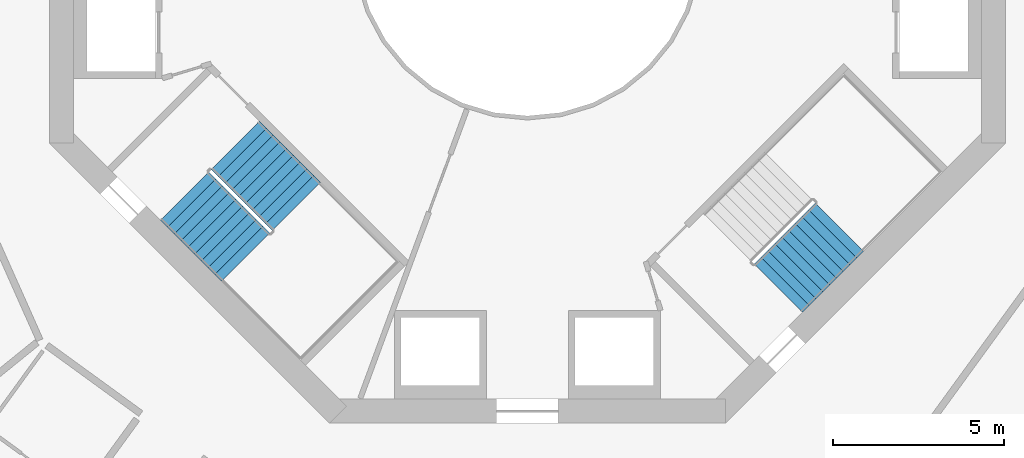
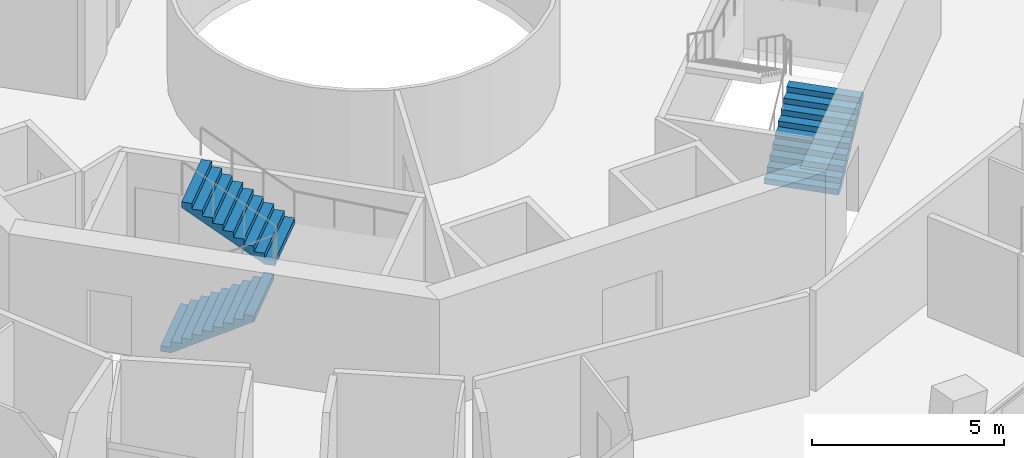
# One storey, part 21 of 23: 3 stair flights, 2 elements without a shape of their own.
"""IFC4 building model written with IfcOpenShell, lengths in metres."""

from ifc_helpers import new_model, si_unit, direction, frame, origin, place, context, subcontext, project, spatial, triangles, material, type_object, element, aggregate, save


model = new_model("IFC4")

# Units and contexts
model_context = context("Model", 3, precision=1e-05, world=origin(), true_north=direction((0.0, 1.0)))
body_context = subcontext(model_context, "Body", "Model", "MODEL_VIEW")
ifc_project = project(units=[si_unit("LENGTHUNIT", "METRE"), si_unit("AREAUNIT", "SQUARE_METRE"), si_unit("VOLUMEUNIT", "CUBIC_METRE"), si_unit("PLANEANGLEUNIT", "RADIAN"), si_unit("MASSUNIT", "GRAM", prefix="KILO")], contexts=[model_context])

# Site, building, storey
site_placement = place(None, origin())
site = spatial("IfcSite", under=ifc_project, at=site_placement, CompositionType="ELEMENT")
building_placement = place(site_placement, origin())
building = spatial("IfcBuilding", under=site, at=building_placement, Name="Verdalira Terraces Hotel", CompositionType="ELEMENT")
storey_placement = place(building_placement, frame((0.0, 0.0, 133.0)))
storey = spatial("IfcBuildingStorey", under=building, at=storey_placement, Name="L31", CompositionType="ELEMENT", Elevation=133.0)

# Stair, stair flights
ifc_material_1 = material(Name="Concrete C40", Category="concrete")
stair_type = type_object("IfcStairType", Name="Core stair 20 risers 2000 mm wide", PredefinedType="HALF_TURN_STAIR", material=ifc_material_1)
stair_1_placement = place(storey_placement, origin())
stair_1 = element("IfcStair", 1, at=stair_1_placement, inside=storey, type_object=stair_type, Name="L31 Exit stair ST2", PredefinedType="HALF_TURN_STAIR")
ifc_material_2 = material(Name="Concrete C40", Category="concrete")
stair_flight_type = type_object("IfcStairFlightType", Name="Core stair flight 20 risers 2000 mm wide", PredefinedType="STRAIGHT", material=ifc_material_2)
stair_flight_1_placement = place(storey_placement, frame((-10.041016, -7.354004, 0.0), z_axis=(0.0, 0.0, 1.0), x_axis=(0.707106781, -0.707106781, 0.0)))
stair_flight_1 = element("IfcStairFlight", 2, at=stair_flight_1_placement, type_object=stair_flight_type, Name="ST2 flight 1", NumberOfRisers=10, NumberOfTreads=9, PredefinedType="STRAIGHT", RiserHeight=0.175, TreadLength=0.28, context=body_context, shape_type="Tessellation", body=[
    triangles([(0.0, 1.0, 0.0), (0.282715, 1.0, 0.0), (2.52002, 1.0, 1.398193), (0.0, -1.0, 0.0), (0.282715, -1.0, 0.0), (2.52002, -1.0, 1.398193), (2.52002, 1.0, 1.574951), (2.23999, 1.0, 1.574951), (2.52002, -1.0, 1.574951), (2.23999, -1.0, 1.574951), (2.23999, 1.0, 1.399902), (2.23999, -1.0, 1.399902), (1.959961, 1.0, 1.399902), (1.959961, -1.0, 1.399902), (1.959961, 1.0, 1.225098), (1.959961, -1.0, 1.225098), (1.679932, 1.0, 1.225098), (1.679932, 1.0, 1.050049), (1.679932, -1.0, 1.225098), (1.679932, -1.0, 1.050049), (1.399902, 1.0, 1.050049), (1.399902, 1.0, 0.875), (1.399902, -1.0, 1.050049), (1.399902, -1.0, 0.875), (1.120117, 1.0, 0.875), (1.120117, 1.0, 0.699951), (1.120117, -1.0, 0.875), (1.120117, -1.0, 0.699951), (0.840088, 1.0, 0.699951), (0.840088, 1.0, 0.524902), (0.840088, -1.0, 0.699951), (0.840088, -1.0, 0.524902), (0.560059, 1.0, 0.524902), (0.560059, 1.0, 0.350098), (0.560059, -1.0, 0.524902), (0.560059, -1.0, 0.350098), (0.280029, 1.0, 0.350098), (0.280029, 1.0, 0.175049), (0.280029, -1.0, 0.350098), (0.280029, -1.0, 0.175049), (0.0, 1.0, 0.175049), (0.0, -1.0, 0.175049), (0.0, -0.9375, 0.0), (0.0, -0.9375, 0.175049), (0.0, -0.875, 0.0), (0.0, -0.875, 0.175049), (0.0, -0.8125, 0.0), (0.0, -0.8125, 0.175049), (0.0, -0.75, 0.0), (0.0, -0.75, 0.175049), (0.0, -0.6875, 0.0), (0.0, -0.6875, 0.175049), (0.0, -0.625, 0.0), (0.0, -0.625, 0.175049), (0.0, -0.5625, 0.0), (0.0, -0.5625, 0.175049), (0.0, -0.5, 0.0), (0.0, -0.5, 0.175049), (0.0, -0.4375, 0.0), (0.0, -0.4375, 0.175049), (0.0, -0.375, 0.0), (0.0, -0.375, 0.175049), (0.0, -0.3125, 0.0), (0.0, -0.3125, 0.175049), (0.0, -0.25, 0.0), (0.0, -0.25, 0.175049), (0.0, -0.1875, 0.0), (0.0, -0.1875, 0.175049), (0.0, -0.125, 0.0), (0.0, -0.125, 0.175049), (0.0, -0.0625, 0.0), (0.0, -0.0625, 0.175049), (0.0, 0.0, 0.0), (0.0, 0.0, 0.175049), (0.0, 0.0625, 0.0), (0.0, 0.0625, 0.175049), (0.0, 0.125, 0.0), (0.0, 0.125, 0.175049), (0.0, 0.1875, 0.0), (0.0, 0.1875, 0.175049), (0.0, 0.25, 0.0), (0.0, 0.25, 0.175049), (0.0, 0.3125, 0.0), (0.0, 0.3125, 0.175049), (0.0, 0.375, 0.0), (0.0, 0.375, 0.175049), (0.0, 0.4375, 0.0), (0.0, 0.4375, 0.175049), (0.0, 0.5, 0.0), (0.0, 0.5, 0.175049), (0.0, 0.5625, 0.0), (0.0, 0.5625, 0.175049), (0.0, 0.625, 0.0), (0.0, 0.625, 0.175049), (0.0, 0.6875, 0.0), (0.0, 0.6875, 0.175049), (0.0, 0.75, 0.0), (0.0, 0.75, 0.175049), (0.0, 0.8125, 0.0), (0.0, 0.8125, 0.175049), (0.0, 0.875, 0.0), (0.0, 0.875, 0.175049), (0.0, 0.9375, 0.0), (0.0, 0.9375, 0.175049), (2.52002, -0.9375, 1.574951), (2.52002, -0.875, 1.574951), (2.52002, -0.8125, 1.574951), (2.52002, -0.75, 1.574951), (2.52002, -0.6875, 1.574951), (2.52002, -0.625, 1.574951), (2.52002, -0.5625, 1.574951), (2.52002, -0.5, 1.574951), (2.52002, -0.4375, 1.574951), (2.52002, -0.375, 1.574951), (2.52002, -0.3125, 1.574951), (2.52002, -0.25, 1.574951), (2.52002, -0.1875, 1.574951), (2.52002, -0.125, 1.574951), (2.52002, -0.0625, 1.574951), (2.52002, 0.0, 1.574951), (2.52002, 0.0625, 1.574951), (2.52002, 0.125, 1.574951), (2.52002, 0.1875, 1.574951), (2.52002, 0.25, 1.574951), (2.52002, 0.3125, 1.574951), (2.52002, 0.375, 1.574951), (2.52002, 0.4375, 1.574951), (2.52002, 0.5, 1.574951), (2.52002, 0.5625, 1.574951), (2.52002, 0.625, 1.574951), (2.52002, 0.6875, 1.574951), (2.52002, 0.75, 1.574951), (2.52002, 0.8125, 1.574951), (2.52002, 0.875, 1.574951), (2.52002, 0.9375, 1.574951), (2.52002, -0.9375, 1.398193), (2.52002, -0.875, 1.398193), (2.52002, -0.8125, 1.398193), (2.52002, -0.75, 1.398193), (2.52002, -0.6875, 1.398193), (2.52002, -0.625, 1.398193), (2.52002, -0.5625, 1.398193), (2.52002, -0.5, 1.398193), (2.52002, -0.4375, 1.398193), (2.52002, -0.375, 1.398193), (2.52002, -0.3125, 1.398193), (2.52002, -0.25, 1.398193), (2.52002, -0.1875, 1.398193), (2.52002, -0.125, 1.398193), (2.52002, -0.0625, 1.398193), (2.52002, 0.0, 1.398193), (2.52002, 0.0625, 1.398193), (2.52002, 0.125, 1.398193), (2.52002, 0.1875, 1.398193), (2.52002, 0.25, 1.398193), (2.52002, 0.3125, 1.398193), (2.52002, 0.375, 1.398193), (2.52002, 0.4375, 1.398193), (2.52002, 0.5, 1.398193), (2.52002, 0.5625, 1.398193), (2.52002, 0.625, 1.398193), (2.52002, 0.6875, 1.398193), (2.52002, 0.75, 1.398193), (2.52002, 0.8125, 1.398193), (2.52002, 0.875, 1.398193), (2.52002, 0.9375, 1.398193)], [[1, 3, 2], [4, 5, 6], [3, 8, 7], [6, 9, 10], [3, 11, 8], [6, 10, 12], [3, 13, 11], [6, 12, 14], [3, 15, 13], [6, 14, 16], [15, 18, 17], [16, 19, 20], [3, 18, 15], [6, 16, 20], [18, 22, 21], [20, 23, 24], [3, 22, 18], [6, 20, 24], [22, 26, 25], [24, 27, 28], [3, 26, 22], [6, 24, 28], [26, 30, 29], [28, 31, 32], [3, 30, 26], [6, 28, 32], [1, 30, 3], [4, 6, 32], [30, 34, 33], [32, 35, 36], [34, 38, 37], [36, 39, 40], [30, 38, 34], [32, 36, 40], [1, 38, 30], [4, 32, 40], [38, 1, 41], [40, 42, 4], [4, 44, 43], [4, 42, 44], [43, 46, 45], [43, 44, 46], [45, 48, 47], [45, 46, 48], [47, 50, 49], [47, 48, 50], [49, 52, 51], [49, 50, 52], [51, 54, 53], [51, 52, 54], [53, 56, 55], [53, 54, 56], [55, 58, 57], [55, 56, 58], [57, 60, 59], [57, 58, 60], [59, 62, 61], [59, 60, 62], [61, 64, 63], [61, 62, 64], [63, 66, 65], [63, 64, 66], [65, 68, 67], [65, 66, 68], [67, 70, 69], [67, 68, 70], [69, 72, 71], [69, 70, 72], [71, 74, 73], [71, 72, 74], [73, 76, 75], [73, 74, 76], [75, 78, 77], [75, 76, 78], [77, 80, 79], [77, 78, 80], [79, 82, 81], [79, 80, 82], [81, 84, 83], [81, 82, 84], [83, 86, 85], [83, 84, 86], [85, 88, 87], [85, 86, 88], [87, 90, 89], [87, 88, 90], [89, 92, 91], [89, 90, 92], [91, 94, 93], [91, 92, 94], [93, 96, 95], [93, 94, 96], [95, 98, 97], [95, 96, 98], [97, 100, 99], [97, 98, 100], [99, 102, 101], [99, 100, 102], [101, 104, 103], [101, 102, 104], [103, 41, 1], [103, 104, 41], [42, 40, 44], [44, 40, 46], [46, 40, 48], [48, 40, 50], [50, 40, 52], [52, 40, 54], [54, 40, 56], [56, 40, 58], [58, 40, 60], [60, 40, 62], [62, 40, 64], [64, 40, 66], [66, 40, 68], [68, 40, 70], [70, 40, 72], [72, 40, 74], [74, 40, 76], [76, 40, 78], [78, 40, 80], [80, 40, 82], [82, 40, 84], [84, 40, 86], [86, 40, 88], [88, 40, 90], [90, 40, 92], [92, 40, 94], [94, 40, 96], [96, 40, 98], [98, 40, 100], [100, 40, 102], [102, 40, 104], [104, 40, 41], [41, 40, 38], [40, 37, 38], [40, 39, 37], [39, 34, 37], [39, 36, 34], [36, 33, 34], [36, 35, 33], [35, 30, 33], [35, 32, 30], [32, 29, 30], [32, 31, 29], [31, 26, 29], [31, 28, 26], [28, 25, 26], [28, 27, 25], [27, 22, 25], [27, 24, 22], [24, 21, 22], [24, 23, 21], [23, 18, 21], [23, 20, 18], [20, 17, 18], [20, 19, 17], [19, 15, 17], [19, 16, 15], [16, 13, 15], [16, 14, 13], [14, 11, 13], [14, 12, 11], [12, 8, 11], [12, 10, 8], [9, 105, 10], [105, 106, 10], [106, 107, 10], [107, 108, 10], [108, 109, 10], [109, 110, 10], [110, 111, 10], [111, 112, 10], [112, 113, 10], [113, 114, 10], [114, 115, 10], [115, 116, 10], [116, 117, 10], [117, 118, 10], [118, 119, 10], [119, 120, 10], [120, 121, 10], [121, 122, 10], [122, 123, 10], [123, 124, 10], [124, 125, 10], [125, 126, 10], [126, 127, 10], [127, 128, 10], [128, 129, 10], [129, 130, 10], [130, 131, 10], [131, 132, 10], [132, 133, 10], [133, 134, 10], [134, 135, 10], [135, 7, 10], [7, 8, 10], [9, 136, 105], [9, 6, 136], [105, 137, 106], [105, 136, 137], [106, 138, 107], [106, 137, 138], [107, 139, 108], [107, 138, 139], [108, 140, 109], [108, 139, 140], [109, 141, 110], [109, 140, 141], [110, 142, 111], [110, 141, 142], [111, 143, 112], [111, 142, 143], [112, 144, 113], [112, 143, 144], [113, 145, 114], [113, 144, 145], [114, 146, 115], [114, 145, 146], [115, 147, 116], [115, 146, 147], [116, 148, 117], [116, 147, 148], [117, 149, 118], [117, 148, 149], [118, 150, 119], [118, 149, 150], [119, 151, 120], [119, 150, 151], [120, 152, 121], [120, 151, 152], [121, 153, 122], [121, 152, 153], [122, 154, 123], [122, 153, 154], [123, 155, 124], [123, 154, 155], [124, 156, 125], [124, 155, 156], [125, 157, 126], [125, 156, 157], [126, 158, 127], [126, 157, 158], [127, 159, 128], [127, 158, 159], [128, 160, 129], [128, 159, 160], [129, 161, 130], [129, 160, 161], [130, 162, 131], [130, 161, 162], [131, 163, 132], [131, 162, 163], [132, 164, 133], [132, 163, 164], [133, 165, 134], [133, 164, 165], [134, 166, 135], [134, 165, 166], [135, 3, 7], [135, 166, 3], [6, 5, 136], [136, 5, 137], [137, 5, 138], [138, 5, 139], [139, 5, 140], [140, 5, 141], [141, 5, 142], [142, 5, 143], [143, 5, 144], [144, 5, 145], [145, 5, 146], [146, 5, 147], [147, 5, 148], [148, 5, 149], [149, 5, 150], [150, 5, 151], [151, 5, 152], [152, 5, 153], [153, 5, 154], [154, 5, 155], [155, 5, 156], [156, 5, 157], [157, 5, 158], [158, 5, 159], [159, 5, 160], [160, 5, 161], [161, 5, 162], [162, 5, 163], [163, 5, 164], [164, 5, 165], [165, 5, 166], [166, 5, 3], [3, 5, 2], [4, 43, 5], [43, 45, 5], [45, 47, 5], [47, 49, 5], [49, 51, 5], [51, 53, 5], [53, 55, 5], [55, 57, 5], [57, 59, 5], [59, 61, 5], [61, 63, 5], [63, 65, 5], [65, 67, 5], [67, 69, 5], [69, 71, 5], [71, 73, 5], [73, 75, 5], [75, 77, 5], [77, 79, 5], [79, 81, 5], [81, 83, 5], [83, 85, 5], [85, 87, 5], [87, 89, 5], [89, 91, 5], [91, 93, 5], [93, 95, 5], [95, 97, 5], [97, 99, 5], [99, 101, 5], [101, 103, 5], [103, 1, 5], [1, 2, 5]], closed=True),
])
stair_flight_2_placement = place(storey_placement, frame((-6.77417, -7.650879, 1.75), z_axis=(0.0, 0.0, 1.0), x_axis=(-0.707106781, 0.707106781, 0.0)))
stair_flight_2 = element("IfcStairFlight", 3, at=stair_flight_2_placement, type_object=stair_flight_type, Name="ST2 flight 2", NumberOfRisers=10, NumberOfTreads=9, PredefinedType="STRAIGHT", RiserHeight=0.175, TreadLength=0.28, context=body_context, shape_type="Tessellation", body=[
    triangles([(0.0, 1.0, 0.0), (0.282715, 1.0, 0.0), (2.52002, 1.0, 1.398193), (0.0, -1.0, 0.0), (0.282715, -1.0, 0.0), (2.52002, -1.0, 1.398193), (2.52002, 1.0, 1.574951), (2.23999, 1.0, 1.574951), (2.52002, -1.0, 1.574951), (2.23999, -1.0, 1.574951), (2.23999, 1.0, 1.399902), (2.23999, -1.0, 1.399902), (1.959961, 1.0, 1.399902), (1.959961, -1.0, 1.399902), (1.959961, 1.0, 1.225098), (1.959961, -1.0, 1.225098), (1.679932, 1.0, 1.225098), (1.679932, 1.0, 1.050049), (1.679932, -1.0, 1.225098), (1.679932, -1.0, 1.050049), (1.399902, 1.0, 1.050049), (1.399902, 1.0, 0.875), (1.399902, -1.0, 1.050049), (1.399902, -1.0, 0.875), (1.120117, 1.0, 0.875), (1.120117, 1.0, 0.699951), (1.120117, -1.0, 0.875), (1.120117, -1.0, 0.699951), (0.840088, 1.0, 0.699951), (0.840088, 1.0, 0.524902), (0.840088, -1.0, 0.699951), (0.840088, -1.0, 0.524902), (0.560059, 1.0, 0.524902), (0.560059, 1.0, 0.350098), (0.560059, -1.0, 0.524902), (0.560059, -1.0, 0.350098), (0.280029, 1.0, 0.350098), (0.280029, 1.0, 0.175049), (0.280029, -1.0, 0.350098), (0.280029, -1.0, 0.175049), (0.0, 1.0, 0.175049), (0.0, -1.0, 0.175049), (0.0, -0.9375, 0.0), (0.0, -0.9375, 0.175049), (0.0, -0.875, 0.0), (0.0, -0.875, 0.175049), (0.0, -0.8125, 0.0), (0.0, -0.8125, 0.175049), (0.0, -0.75, 0.0), (0.0, -0.75, 0.175049), (0.0, -0.6875, 0.0), (0.0, -0.6875, 0.175049), (0.0, -0.625, 0.0), (0.0, -0.625, 0.175049), (0.0, -0.5625, 0.0), (0.0, -0.5625, 0.175049), (0.0, -0.5, 0.0), (0.0, -0.5, 0.175049), (0.0, -0.4375, 0.0), (0.0, -0.4375, 0.175049), (0.0, -0.375, 0.0), (0.0, -0.375, 0.175049), (0.0, -0.3125, 0.0), (0.0, -0.3125, 0.175049), (0.0, -0.25, 0.0), (0.0, -0.25, 0.175049), (0.0, -0.1875, 0.0), (0.0, -0.1875, 0.175049), (0.0, -0.125, 0.0), (0.0, -0.125, 0.175049), (0.0, -0.0625, 0.0), (0.0, -0.0625, 0.175049), (0.0, 0.0, 0.0), (0.0, 0.0, 0.175049), (0.0, 0.0625, 0.0), (0.0, 0.0625, 0.175049), (0.0, 0.125, 0.0), (0.0, 0.125, 0.175049), (0.0, 0.1875, 0.0), (0.0, 0.1875, 0.175049), (0.0, 0.25, 0.0), (0.0, 0.25, 0.175049), (0.0, 0.3125, 0.0), (0.0, 0.3125, 0.175049), (0.0, 0.375, 0.0), (0.0, 0.375, 0.175049), (0.0, 0.4375, 0.0), (0.0, 0.4375, 0.175049), (0.0, 0.5, 0.0), (0.0, 0.5, 0.175049), (0.0, 0.5625, 0.0), (0.0, 0.5625, 0.175049), (0.0, 0.625, 0.0), (0.0, 0.625, 0.175049), (0.0, 0.6875, 0.0), (0.0, 0.6875, 0.175049), (0.0, 0.75, 0.0), (0.0, 0.75, 0.175049), (0.0, 0.8125, 0.0), (0.0, 0.8125, 0.175049), (0.0, 0.875, 0.0), (0.0, 0.875, 0.175049), (0.0, 0.9375, 0.0), (0.0, 0.9375, 0.175049), (2.52002, -0.9375, 1.574951), (2.52002, -0.875, 1.574951), (2.52002, -0.8125, 1.574951), (2.52002, -0.75, 1.574951), (2.52002, -0.6875, 1.574951), (2.52002, -0.625, 1.574951), (2.52002, -0.5625, 1.574951), (2.52002, -0.5, 1.574951), (2.52002, -0.4375, 1.574951), (2.52002, -0.375, 1.574951), (2.52002, -0.3125, 1.574951), (2.52002, -0.25, 1.574951), (2.52002, -0.1875, 1.574951), (2.52002, -0.125, 1.574951), (2.52002, -0.0625, 1.574951), (2.52002, 0.0, 1.574951), (2.52002, 0.0625, 1.574951), (2.52002, 0.125, 1.574951), (2.52002, 0.1875, 1.574951), (2.52002, 0.25, 1.574951), (2.52002, 0.3125, 1.574951), (2.52002, 0.375, 1.574951), (2.52002, 0.4375, 1.574951), (2.52002, 0.5, 1.574951), (2.52002, 0.5625, 1.574951), (2.52002, 0.625, 1.574951), (2.52002, 0.6875, 1.574951), (2.52002, 0.75, 1.574951), (2.52002, 0.8125, 1.574951), (2.52002, 0.875, 1.574951), (2.52002, 0.9375, 1.574951), (2.52002, -0.9375, 1.398193), (2.52002, -0.875, 1.398193), (2.52002, -0.8125, 1.398193), (2.52002, -0.75, 1.398193), (2.52002, -0.6875, 1.398193), (2.52002, -0.625, 1.398193), (2.52002, -0.5625, 1.398193), (2.52002, -0.5, 1.398193), (2.52002, -0.4375, 1.398193), (2.52002, -0.375, 1.398193), (2.52002, -0.3125, 1.398193), (2.52002, -0.25, 1.398193), (2.52002, -0.1875, 1.398193), (2.52002, -0.125, 1.398193), (2.52002, -0.0625, 1.398193), (2.52002, 0.0, 1.398193), (2.52002, 0.0625, 1.398193), (2.52002, 0.125, 1.398193), (2.52002, 0.1875, 1.398193), (2.52002, 0.25, 1.398193), (2.52002, 0.3125, 1.398193), (2.52002, 0.375, 1.398193), (2.52002, 0.4375, 1.398193), (2.52002, 0.5, 1.398193), (2.52002, 0.5625, 1.398193), (2.52002, 0.625, 1.398193), (2.52002, 0.6875, 1.398193), (2.52002, 0.75, 1.398193), (2.52002, 0.8125, 1.398193), (2.52002, 0.875, 1.398193), (2.52002, 0.9375, 1.398193)], [[1, 3, 2], [4, 5, 6], [3, 8, 7], [6, 9, 10], [3, 11, 8], [6, 10, 12], [3, 13, 11], [6, 12, 14], [3, 15, 13], [6, 14, 16], [15, 18, 17], [16, 19, 20], [3, 18, 15], [6, 16, 20], [18, 22, 21], [20, 23, 24], [3, 22, 18], [6, 20, 24], [22, 26, 25], [24, 27, 28], [3, 26, 22], [6, 24, 28], [26, 30, 29], [28, 31, 32], [3, 30, 26], [6, 28, 32], [1, 30, 3], [4, 6, 32], [30, 34, 33], [32, 35, 36], [34, 38, 37], [36, 39, 40], [30, 38, 34], [32, 36, 40], [1, 38, 30], [4, 32, 40], [38, 1, 41], [40, 42, 4], [4, 44, 43], [4, 42, 44], [43, 46, 45], [43, 44, 46], [45, 48, 47], [45, 46, 48], [47, 50, 49], [47, 48, 50], [49, 52, 51], [49, 50, 52], [51, 54, 53], [51, 52, 54], [53, 56, 55], [53, 54, 56], [55, 58, 57], [55, 56, 58], [57, 60, 59], [57, 58, 60], [59, 62, 61], [59, 60, 62], [61, 64, 63], [61, 62, 64], [63, 66, 65], [63, 64, 66], [65, 68, 67], [65, 66, 68], [67, 70, 69], [67, 68, 70], [69, 72, 71], [69, 70, 72], [71, 74, 73], [71, 72, 74], [73, 76, 75], [73, 74, 76], [75, 78, 77], [75, 76, 78], [77, 80, 79], [77, 78, 80], [79, 82, 81], [79, 80, 82], [81, 84, 83], [81, 82, 84], [83, 86, 85], [83, 84, 86], [85, 88, 87], [85, 86, 88], [87, 90, 89], [87, 88, 90], [89, 92, 91], [89, 90, 92], [91, 94, 93], [91, 92, 94], [93, 96, 95], [93, 94, 96], [95, 98, 97], [95, 96, 98], [97, 100, 99], [97, 98, 100], [99, 102, 101], [99, 100, 102], [101, 104, 103], [101, 102, 104], [103, 41, 1], [103, 104, 41], [42, 40, 44], [44, 40, 46], [46, 40, 48], [48, 40, 50], [50, 40, 52], [52, 40, 54], [54, 40, 56], [56, 40, 58], [58, 40, 60], [60, 40, 62], [62, 40, 64], [64, 40, 66], [66, 40, 68], [68, 40, 70], [70, 40, 72], [72, 40, 74], [74, 40, 76], [76, 40, 78], [78, 40, 80], [80, 40, 82], [82, 40, 84], [84, 40, 86], [86, 40, 88], [88, 40, 90], [90, 40, 92], [92, 40, 94], [94, 40, 96], [96, 40, 98], [98, 40, 100], [100, 40, 102], [102, 40, 104], [104, 40, 41], [41, 40, 38], [40, 37, 38], [40, 39, 37], [39, 34, 37], [39, 36, 34], [36, 33, 34], [36, 35, 33], [35, 30, 33], [35, 32, 30], [32, 29, 30], [32, 31, 29], [31, 26, 29], [31, 28, 26], [28, 25, 26], [28, 27, 25], [27, 22, 25], [27, 24, 22], [24, 21, 22], [24, 23, 21], [23, 18, 21], [23, 20, 18], [20, 17, 18], [20, 19, 17], [19, 15, 17], [19, 16, 15], [16, 13, 15], [16, 14, 13], [14, 11, 13], [14, 12, 11], [12, 8, 11], [12, 10, 8], [9, 105, 10], [105, 106, 10], [106, 107, 10], [107, 108, 10], [108, 109, 10], [109, 110, 10], [110, 111, 10], [111, 112, 10], [112, 113, 10], [113, 114, 10], [114, 115, 10], [115, 116, 10], [116, 117, 10], [117, 118, 10], [118, 119, 10], [119, 120, 10], [120, 121, 10], [121, 122, 10], [122, 123, 10], [123, 124, 10], [124, 125, 10], [125, 126, 10], [126, 127, 10], [127, 128, 10], [128, 129, 10], [129, 130, 10], [130, 131, 10], [131, 132, 10], [132, 133, 10], [133, 134, 10], [134, 135, 10], [135, 7, 10], [7, 8, 10], [9, 136, 105], [9, 6, 136], [105, 137, 106], [105, 136, 137], [106, 138, 107], [106, 137, 138], [107, 139, 108], [107, 138, 139], [108, 140, 109], [108, 139, 140], [109, 141, 110], [109, 140, 141], [110, 142, 111], [110, 141, 142], [111, 143, 112], [111, 142, 143], [112, 144, 113], [112, 143, 144], [113, 145, 114], [113, 144, 145], [114, 146, 115], [114, 145, 146], [115, 147, 116], [115, 146, 147], [116, 148, 117], [116, 147, 148], [117, 149, 118], [117, 148, 149], [118, 150, 119], [118, 149, 150], [119, 151, 120], [119, 150, 151], [120, 152, 121], [120, 151, 152], [121, 153, 122], [121, 152, 153], [122, 154, 123], [122, 153, 154], [123, 155, 124], [123, 154, 155], [124, 156, 125], [124, 155, 156], [125, 157, 126], [125, 156, 157], [126, 158, 127], [126, 157, 158], [127, 159, 128], [127, 158, 159], [128, 160, 129], [128, 159, 160], [129, 161, 130], [129, 160, 161], [130, 162, 131], [130, 161, 162], [131, 163, 132], [131, 162, 163], [132, 164, 133], [132, 163, 164], [133, 165, 134], [133, 164, 165], [134, 166, 135], [134, 165, 166], [135, 3, 7], [135, 166, 3], [6, 5, 136], [136, 5, 137], [137, 5, 138], [138, 5, 139], [139, 5, 140], [140, 5, 141], [141, 5, 142], [142, 5, 143], [143, 5, 144], [144, 5, 145], [145, 5, 146], [146, 5, 147], [147, 5, 148], [148, 5, 149], [149, 5, 150], [150, 5, 151], [151, 5, 152], [152, 5, 153], [153, 5, 154], [154, 5, 155], [155, 5, 156], [156, 5, 157], [157, 5, 158], [158, 5, 159], [159, 5, 160], [160, 5, 161], [161, 5, 162], [162, 5, 163], [163, 5, 164], [164, 5, 165], [165, 5, 166], [166, 5, 3], [3, 5, 2], [4, 43, 5], [43, 45, 5], [45, 47, 5], [47, 49, 5], [49, 51, 5], [51, 53, 5], [53, 55, 5], [55, 57, 5], [57, 59, 5], [59, 61, 5], [61, 63, 5], [63, 65, 5], [65, 67, 5], [67, 69, 5], [69, 71, 5], [71, 73, 5], [73, 75, 5], [75, 77, 5], [77, 79, 5], [79, 81, 5], [81, 83, 5], [83, 85, 5], [85, 87, 5], [87, 89, 5], [89, 91, 5], [91, 93, 5], [93, 95, 5], [95, 97, 5], [97, 99, 5], [99, 101, 5], [101, 103, 5], [103, 1, 5], [1, 2, 5]], closed=True),
])
aggregate(stair_1, [stair_flight_1, stair_flight_2])

# Stair, stair flight
stair_2_placement = place(storey_placement, origin())
stair_2 = element("IfcStair", 4, at=stair_2_placement, inside=storey, type_object=stair_type, Name="L31 Exit stair ST3", PredefinedType="HALF_TURN_STAIR")
stair_flight_3_placement = place(storey_placement, frame((7.354004, -10.041016, 0.0), z_axis=(0.0, 0.0, 1.0), x_axis=(0.707106781, 0.707106781, 0.0)))
stair_flight_3 = element("IfcStairFlight", 5, at=stair_flight_3_placement, type_object=stair_flight_type, Name="ST3 flight 1", NumberOfRisers=10, NumberOfTreads=9, PredefinedType="STRAIGHT", RiserHeight=0.175, TreadLength=0.28, context=body_context, shape_type="Tessellation", body=[
    triangles([(0.0, 1.0, 0.0), (0.282715, 1.0, 0.0), (2.52002, 1.0, 1.398193), (0.0, -1.0, 0.0), (0.282715, -1.0, 0.0), (2.52002, -1.0, 1.398193), (2.52002, 1.0, 1.574951), (2.23999, 1.0, 1.574951), (2.52002, -1.0, 1.574951), (2.23999, -1.0, 1.574951), (2.23999, 1.0, 1.399902), (2.23999, -1.0, 1.399902), (1.959961, 1.0, 1.399902), (1.959961, -1.0, 1.399902), (1.959961, 1.0, 1.225098), (1.959961, -1.0, 1.225098), (1.679932, 1.0, 1.225098), (1.679932, 1.0, 1.050049), (1.679932, -1.0, 1.225098), (1.679932, -1.0, 1.050049), (1.399902, 1.0, 1.050049), (1.399902, 1.0, 0.875), (1.399902, -1.0, 1.050049), (1.399902, -1.0, 0.875), (1.120117, 1.0, 0.875), (1.120117, 1.0, 0.699951), (1.120117, -1.0, 0.875), (1.120117, -1.0, 0.699951), (0.840088, 1.0, 0.699951), (0.840088, 1.0, 0.524902), (0.840088, -1.0, 0.699951), (0.840088, -1.0, 0.524902), (0.560059, 1.0, 0.524902), (0.560059, 1.0, 0.350098), (0.560059, -1.0, 0.524902), (0.560059, -1.0, 0.350098), (0.280029, 1.0, 0.350098), (0.280029, 1.0, 0.175049), (0.280029, -1.0, 0.350098), (0.280029, -1.0, 0.175049), (0.0, 1.0, 0.175049), (0.0, -1.0, 0.175049), (0.0, -0.9375, 0.0), (0.0, -0.9375, 0.175049), (0.0, -0.875, 0.0), (0.0, -0.875, 0.175049), (0.0, -0.8125, 0.0), (0.0, -0.8125, 0.175049), (0.0, -0.75, 0.0), (0.0, -0.75, 0.175049), (0.0, -0.6875, 0.0), (0.0, -0.6875, 0.175049), (0.0, -0.625, 0.0), (0.0, -0.625, 0.175049), (0.0, -0.5625, 0.0), (0.0, -0.5625, 0.175049), (0.0, -0.5, 0.0), (0.0, -0.5, 0.175049), (0.0, -0.4375, 0.0), (0.0, -0.4375, 0.175049), (0.0, -0.375, 0.0), (0.0, -0.375, 0.175049), (0.0, -0.3125, 0.0), (0.0, -0.3125, 0.175049), (0.0, -0.25, 0.0), (0.0, -0.25, 0.175049), (0.0, -0.1875, 0.0), (0.0, -0.1875, 0.175049), (0.0, -0.125, 0.0), (0.0, -0.125, 0.175049), (0.0, -0.0625, 0.0), (0.0, -0.0625, 0.175049), (0.0, 0.0, 0.0), (0.0, 0.0, 0.175049), (0.0, 0.0625, 0.0), (0.0, 0.0625, 0.175049), (0.0, 0.125, 0.0), (0.0, 0.125, 0.175049), (0.0, 0.1875, 0.0), (0.0, 0.1875, 0.175049), (0.0, 0.25, 0.0), (0.0, 0.25, 0.175049), (0.0, 0.3125, 0.0), (0.0, 0.3125, 0.175049), (0.0, 0.375, 0.0), (0.0, 0.375, 0.175049), (0.0, 0.4375, 0.0), (0.0, 0.4375, 0.175049), (0.0, 0.5, 0.0), (0.0, 0.5, 0.175049), (0.0, 0.5625, 0.0), (0.0, 0.5625, 0.175049), (0.0, 0.625, 0.0), (0.0, 0.625, 0.175049), (0.0, 0.6875, 0.0), (0.0, 0.6875, 0.175049), (0.0, 0.75, 0.0), (0.0, 0.75, 0.175049), (0.0, 0.8125, 0.0), (0.0, 0.8125, 0.175049), (0.0, 0.875, 0.0), (0.0, 0.875, 0.175049), (0.0, 0.9375, 0.0), (0.0, 0.9375, 0.175049), (2.52002, -0.9375, 1.574951), (2.52002, -0.875, 1.574951), (2.52002, -0.8125, 1.574951), (2.52002, -0.75, 1.574951), (2.52002, -0.6875, 1.574951), (2.52002, -0.625, 1.574951), (2.52002, -0.5625, 1.574951), (2.52002, -0.5, 1.574951), (2.52002, -0.4375, 1.574951), (2.52002, -0.375, 1.574951), (2.52002, -0.3125, 1.574951), (2.52002, -0.25, 1.574951), (2.52002, -0.1875, 1.574951), (2.52002, -0.125, 1.574951), (2.52002, -0.0625, 1.574951), (2.52002, 0.0, 1.574951), (2.52002, 0.0625, 1.574951), (2.52002, 0.125, 1.574951), (2.52002, 0.1875, 1.574951), (2.52002, 0.25, 1.574951), (2.52002, 0.3125, 1.574951), (2.52002, 0.375, 1.574951), (2.52002, 0.4375, 1.574951), (2.52002, 0.5, 1.574951), (2.52002, 0.5625, 1.574951), (2.52002, 0.625, 1.574951), (2.52002, 0.6875, 1.574951), (2.52002, 0.75, 1.574951), (2.52002, 0.8125, 1.574951), (2.52002, 0.875, 1.574951), (2.52002, 0.9375, 1.574951), (2.52002, -0.9375, 1.398193), (2.52002, -0.875, 1.398193), (2.52002, -0.8125, 1.398193), (2.52002, -0.75, 1.398193), (2.52002, -0.6875, 1.398193), (2.52002, -0.625, 1.398193), (2.52002, -0.5625, 1.398193), (2.52002, -0.5, 1.398193), (2.52002, -0.4375, 1.398193), (2.52002, -0.375, 1.398193), (2.52002, -0.3125, 1.398193), (2.52002, -0.25, 1.398193), (2.52002, -0.1875, 1.398193), (2.52002, -0.125, 1.398193), (2.52002, -0.0625, 1.398193), (2.52002, 0.0, 1.398193), (2.52002, 0.0625, 1.398193), (2.52002, 0.125, 1.398193), (2.52002, 0.1875, 1.398193), (2.52002, 0.25, 1.398193), (2.52002, 0.3125, 1.398193), (2.52002, 0.375, 1.398193), (2.52002, 0.4375, 1.398193), (2.52002, 0.5, 1.398193), (2.52002, 0.5625, 1.398193), (2.52002, 0.625, 1.398193), (2.52002, 0.6875, 1.398193), (2.52002, 0.75, 1.398193), (2.52002, 0.8125, 1.398193), (2.52002, 0.875, 1.398193), (2.52002, 0.9375, 1.398193)], [[1, 3, 2], [4, 5, 6], [3, 8, 7], [6, 9, 10], [3, 11, 8], [6, 10, 12], [3, 13, 11], [6, 12, 14], [3, 15, 13], [6, 14, 16], [15, 18, 17], [16, 19, 20], [3, 18, 15], [6, 16, 20], [18, 22, 21], [20, 23, 24], [3, 22, 18], [6, 20, 24], [22, 26, 25], [24, 27, 28], [3, 26, 22], [6, 24, 28], [26, 30, 29], [28, 31, 32], [3, 30, 26], [6, 28, 32], [1, 30, 3], [4, 6, 32], [30, 34, 33], [32, 35, 36], [34, 38, 37], [36, 39, 40], [30, 38, 34], [32, 36, 40], [1, 38, 30], [4, 32, 40], [38, 1, 41], [40, 42, 4], [4, 44, 43], [4, 42, 44], [43, 46, 45], [43, 44, 46], [45, 48, 47], [45, 46, 48], [47, 50, 49], [47, 48, 50], [49, 52, 51], [49, 50, 52], [51, 54, 53], [51, 52, 54], [53, 56, 55], [53, 54, 56], [55, 58, 57], [55, 56, 58], [57, 60, 59], [57, 58, 60], [59, 62, 61], [59, 60, 62], [61, 64, 63], [61, 62, 64], [63, 66, 65], [63, 64, 66], [65, 68, 67], [65, 66, 68], [67, 70, 69], [67, 68, 70], [69, 72, 71], [69, 70, 72], [71, 74, 73], [71, 72, 74], [73, 76, 75], [73, 74, 76], [75, 78, 77], [75, 76, 78], [77, 80, 79], [77, 78, 80], [79, 82, 81], [79, 80, 82], [81, 84, 83], [81, 82, 84], [83, 86, 85], [83, 84, 86], [85, 88, 87], [85, 86, 88], [87, 90, 89], [87, 88, 90], [89, 92, 91], [89, 90, 92], [91, 94, 93], [91, 92, 94], [93, 96, 95], [93, 94, 96], [95, 98, 97], [95, 96, 98], [97, 100, 99], [97, 98, 100], [99, 102, 101], [99, 100, 102], [101, 104, 103], [101, 102, 104], [103, 41, 1], [103, 104, 41], [42, 40, 44], [44, 40, 46], [46, 40, 48], [48, 40, 50], [50, 40, 52], [52, 40, 54], [54, 40, 56], [56, 40, 58], [58, 40, 60], [60, 40, 62], [62, 40, 64], [64, 40, 66], [66, 40, 68], [68, 40, 70], [70, 40, 72], [72, 40, 74], [74, 40, 76], [76, 40, 78], [78, 40, 80], [80, 40, 82], [82, 40, 84], [84, 40, 86], [86, 40, 88], [88, 40, 90], [90, 40, 92], [92, 40, 94], [94, 40, 96], [96, 40, 98], [98, 40, 100], [100, 40, 102], [102, 40, 104], [104, 40, 41], [41, 40, 38], [40, 37, 38], [40, 39, 37], [39, 34, 37], [39, 36, 34], [36, 33, 34], [36, 35, 33], [35, 30, 33], [35, 32, 30], [32, 29, 30], [32, 31, 29], [31, 26, 29], [31, 28, 26], [28, 25, 26], [28, 27, 25], [27, 22, 25], [27, 24, 22], [24, 21, 22], [24, 23, 21], [23, 18, 21], [23, 20, 18], [20, 17, 18], [20, 19, 17], [19, 15, 17], [19, 16, 15], [16, 13, 15], [16, 14, 13], [14, 11, 13], [14, 12, 11], [12, 8, 11], [12, 10, 8], [9, 105, 10], [105, 106, 10], [106, 107, 10], [107, 108, 10], [108, 109, 10], [109, 110, 10], [110, 111, 10], [111, 112, 10], [112, 113, 10], [113, 114, 10], [114, 115, 10], [115, 116, 10], [116, 117, 10], [117, 118, 10], [118, 119, 10], [119, 120, 10], [120, 121, 10], [121, 122, 10], [122, 123, 10], [123, 124, 10], [124, 125, 10], [125, 126, 10], [126, 127, 10], [127, 128, 10], [128, 129, 10], [129, 130, 10], [130, 131, 10], [131, 132, 10], [132, 133, 10], [133, 134, 10], [134, 135, 10], [135, 7, 10], [7, 8, 10], [9, 136, 105], [9, 6, 136], [105, 137, 106], [105, 136, 137], [106, 138, 107], [106, 137, 138], [107, 139, 108], [107, 138, 139], [108, 140, 109], [108, 139, 140], [109, 141, 110], [109, 140, 141], [110, 142, 111], [110, 141, 142], [111, 143, 112], [111, 142, 143], [112, 144, 113], [112, 143, 144], [113, 145, 114], [113, 144, 145], [114, 146, 115], [114, 145, 146], [115, 147, 116], [115, 146, 147], [116, 148, 117], [116, 147, 148], [117, 149, 118], [117, 148, 149], [118, 150, 119], [118, 149, 150], [119, 151, 120], [119, 150, 151], [120, 152, 121], [120, 151, 152], [121, 153, 122], [121, 152, 153], [122, 154, 123], [122, 153, 154], [123, 155, 124], [123, 154, 155], [124, 156, 125], [124, 155, 156], [125, 157, 126], [125, 156, 157], [126, 158, 127], [126, 157, 158], [127, 159, 128], [127, 158, 159], [128, 160, 129], [128, 159, 160], [129, 161, 130], [129, 160, 161], [130, 162, 131], [130, 161, 162], [131, 163, 132], [131, 162, 163], [132, 164, 133], [132, 163, 164], [133, 165, 134], [133, 164, 165], [134, 166, 135], [134, 165, 166], [135, 3, 7], [135, 166, 3], [6, 5, 136], [136, 5, 137], [137, 5, 138], [138, 5, 139], [139, 5, 140], [140, 5, 141], [141, 5, 142], [142, 5, 143], [143, 5, 144], [144, 5, 145], [145, 5, 146], [146, 5, 147], [147, 5, 148], [148, 5, 149], [149, 5, 150], [150, 5, 151], [151, 5, 152], [152, 5, 153], [153, 5, 154], [154, 5, 155], [155, 5, 156], [156, 5, 157], [157, 5, 158], [158, 5, 159], [159, 5, 160], [160, 5, 161], [161, 5, 162], [162, 5, 163], [163, 5, 164], [164, 5, 165], [165, 5, 166], [166, 5, 3], [3, 5, 2], [4, 43, 5], [43, 45, 5], [45, 47, 5], [47, 49, 5], [49, 51, 5], [51, 53, 5], [53, 55, 5], [55, 57, 5], [57, 59, 5], [59, 61, 5], [61, 63, 5], [63, 65, 5], [65, 67, 5], [67, 69, 5], [69, 71, 5], [71, 73, 5], [73, 75, 5], [75, 77, 5], [77, 79, 5], [79, 81, 5], [81, 83, 5], [83, 85, 5], [85, 87, 5], [87, 89, 5], [89, 91, 5], [91, 93, 5], [93, 95, 5], [95, 97, 5], [97, 99, 5], [99, 101, 5], [101, 103, 5], [103, 1, 5], [1, 2, 5]], closed=True),
])
aggregate(stair_2, [stair_flight_3])

save(model, "model.ifc")
